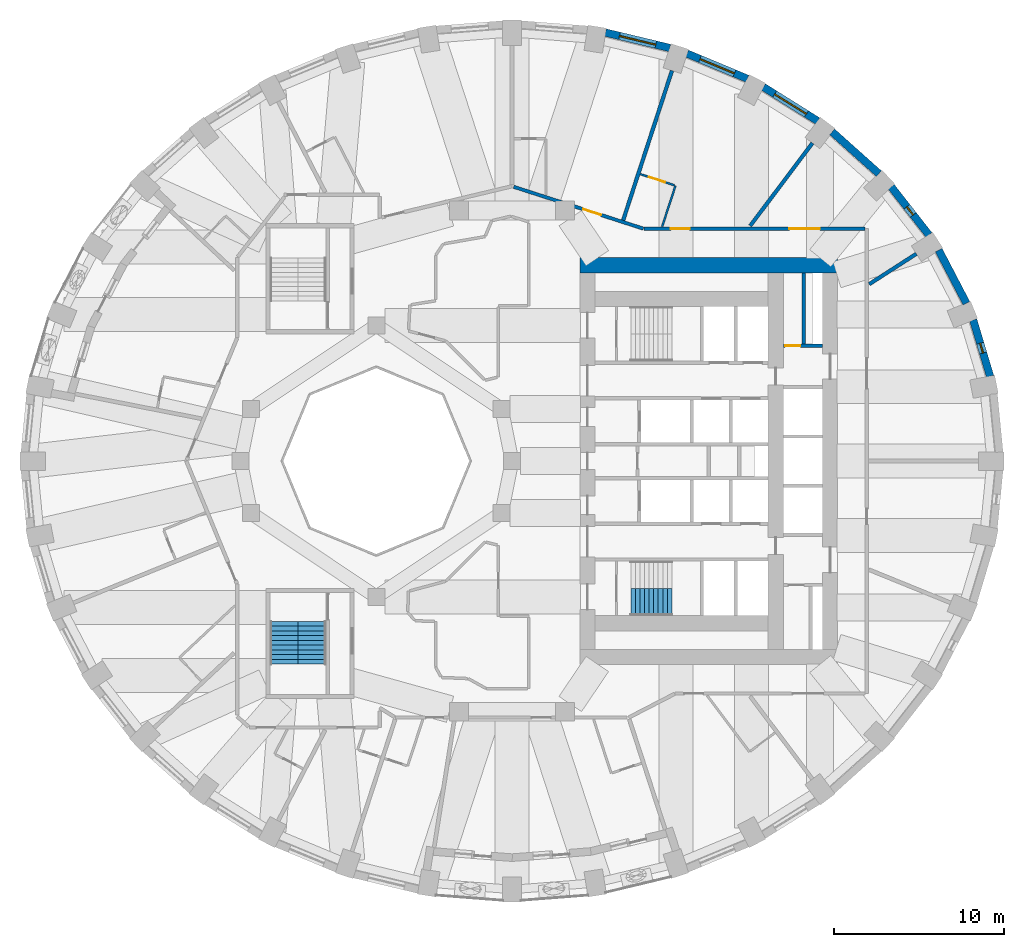
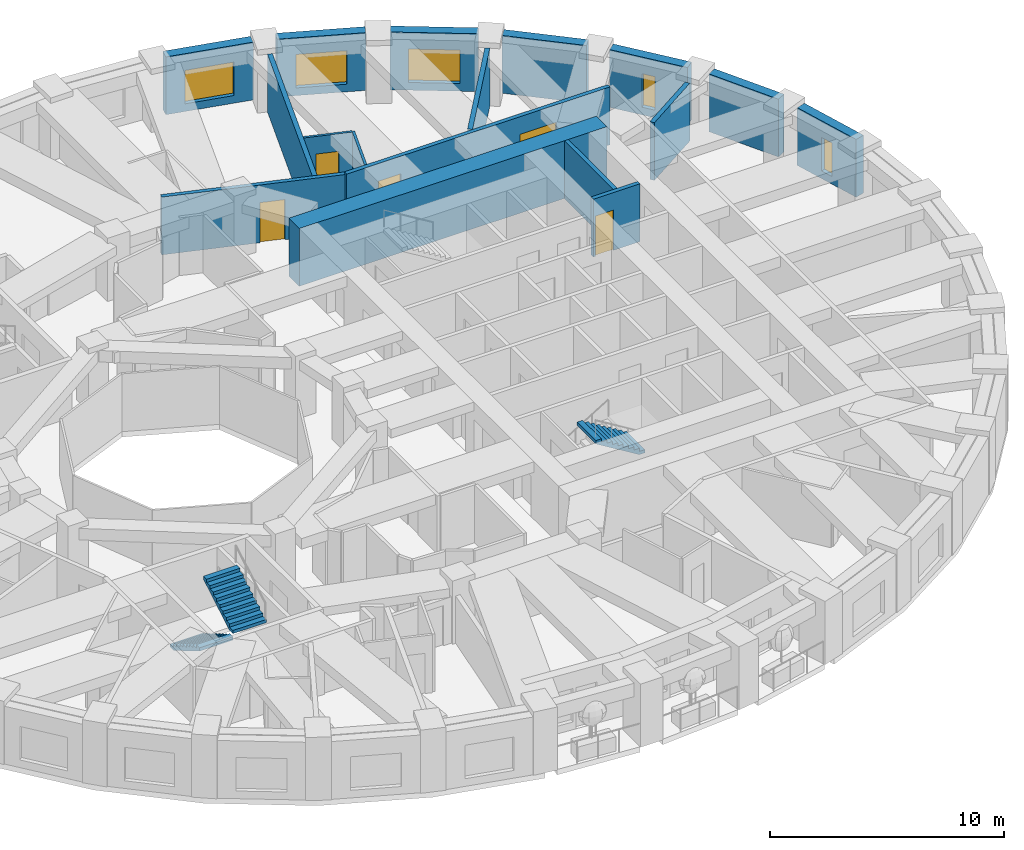
# One storey, part 9 of 13: 17 walls, 5 doors, 5 windows, 3 stair flights, 10 openings, 2 elements without a shape of their own.
"""IFC4 building model written with IfcOpenShell, lengths in metres."""

from ifc_helpers import new_model, si_unit, direction, frame, frame_2d, origin, place, context, subcontext, project, spatial, polyline, rectangle, outline, extrude, material, layer, layer_set, type_object, element, fill, aggregate, save


model = new_model("IFC4")

# Units and contexts
model_context = context("Model", 3, precision=1e-05, world=origin(), true_north=direction((0.0, 1.0)))
body_context = subcontext(model_context, "Body", "Model", "MODEL_VIEW")
ifc_project = project(units=[si_unit("LENGTHUNIT", "METRE"), si_unit("AREAUNIT", "SQUARE_METRE"), si_unit("VOLUMEUNIT", "CUBIC_METRE"), si_unit("PLANEANGLEUNIT", "RADIAN"), si_unit("MASSUNIT", "GRAM", prefix="KILO")], contexts=[model_context])

# Site, building, storey
site_placement = place(None, origin())
site = spatial("IfcSite", under=ifc_project, at=site_placement, CompositionType="ELEMENT")
building_placement = place(site_placement, origin())
building = spatial("IfcBuilding", under=site, at=building_placement, Name="Taillehof Tower", CompositionType="ELEMENT")
storey_placement = place(building_placement, frame((0.0, 0.0, 77.800048828125)))
storey = spatial("IfcBuildingStorey", under=building, at=storey_placement, Name="L21", CompositionType="ELEMENT", Elevation=77.800048828125)

# Wall, opening, window
ifc_material_1 = material(Name="Brick masonry", Category="masonry")
ifc_layer_1 = layer(ifc_material_1, 0.449951171875)
ifc_layer_set_1 = layer_set([ifc_layer_1], Name="Brick infill wall 450")
wall_type_1 = type_object("IfcWallType", Name="Brick infill wall 450", PredefinedType="SOLIDWALL", material=ifc_layer_set_1)
wall_1_placement = place(storey_placement, frame((28.181884765625, 4.995849609375, 0.0), z_axis=(0.0, 0.0, 1.0), x_axis=(-0.287064133733, 0.957911364963, 0.0)))
wall_1 = element("IfcWall", 1, at=wall_1_placement, inside=storey, type_object=wall_type_1, Name="Brick wall L21 bay 2", PredefinedType="SOLIDWALL", context=body_context, shape_type="SweptSolid", body=[
    extrude(rectangle(XDim=3.473388671875, YDim=0.449951171875, at=frame_2d((1.73681640625, 0.0))), origin(), (0.0, 0.0, 1.0), 3.02001953125),
])
opening_1_placement = place(wall_1_placement, frame((1.436767578125, 0.0, 0.39990234375)))
opening_1 = element("IfcOpeningElement", 2, at=opening_1_placement, cuts=wall_1, Name="Opening W6", PredefinedType="OPENING", context=body_context, shape_type="SweptSolid", body=[
    extrude(rectangle(XDim=0.60009765625, YDim=1.75, at=frame_2d((0.300048828125, 0.875))), frame((0.0, 0.23486328125, 0.0), z_axis=(0.0, -1.0, 0.0), x_axis=(1.0, 0.0, 0.0)), (0.0, 0.0, 1.0), 0.469970703125),
])
ifc_material_2 = material(Name="Aluminium window frame with clear double glazing", Category="aluminium")
window_type_1 = type_object("IfcWindowType", Name="Slot window 600x1750", PartitioningType="SINGLE_PANEL", PredefinedType="WINDOW", material=ifc_material_2)
window_1_placement = place(opening_1_placement, origin())
window_1 = element("IfcWindow", 3, at=window_1_placement, inside=storey, type_object=window_type_1, Name="W6", OverallHeight=1.75, OverallWidth=0.60009765625, PartitioningType="SINGLE_PANEL", PredefinedType="WINDOW", context=body_context, shape_type="SweptSolid", body=[
    extrude(rectangle(XDim=0.60009765625, YDim=1.75, at=frame_2d((0.300048828125, 0.875))), frame((0.0, 0.034912109375, 0.0), z_axis=(0.0, -1.0, 0.0), x_axis=(1.0, 0.0, 0.0)), (0.0, 0.0, 1.0), 0.06005859375),
])
fill(opening_1, window_1)

# Wall
wall_2_placement = place(storey_placement, frame((26.78564453125, 9.30517578125, 0.0), z_axis=(0.0, 0.0, 1.0), x_axis=(-0.462492775226, 0.886623050041, 0.0)))
element("IfcWall", 4, at=wall_2_placement, inside=storey, type_object=wall_type_1, Name="Brick wall L21 bay 3", PredefinedType="SOLIDWALL", context=body_context, shape_type="SweptSolid", body=[
    extrude(rectangle(XDim=3.531982421875, YDim=0.449951171875, at=frame_2d((1.76611328125, 0.0))), origin(), (0.0, 0.0, 1.0), 3.02001953125),
])

# Wall, opening, window
wall_3_placement = place(storey_placement, frame((24.57763671875, 13.327880859375, 0.0), z_axis=(0.0, 0.0, 1.0), x_axis=(-0.616661975264, 0.787228053529, 0.0)))
wall_3 = element("IfcWall", 5, at=wall_3_placement, inside=storey, type_object=wall_type_1, Name="Brick wall L21 bay 4", PredefinedType="SOLIDWALL", context=body_context, shape_type="SweptSolid", body=[
    extrude(rectangle(XDim=3.60986328125, YDim=0.449951171875, at=frame_2d((1.804931640625, 0.0))), origin(), (0.0, 0.0, 1.0), 3.02001953125),
])
opening_2_placement = place(wall_3_placement, frame((1.5048828125, 0.0, 0.39990234375)))
opening_2 = element("IfcOpeningElement", 6, at=opening_2_placement, cuts=wall_3, Name="Opening W6", PredefinedType="OPENING", context=body_context, shape_type="SweptSolid", body=[
    extrude(rectangle(XDim=0.60009765625, YDim=1.75, at=frame_2d((0.300048828125, 0.875))), frame((0.0, 0.23486328125, 0.0), z_axis=(0.0, -1.0, 0.0), x_axis=(1.0, 0.0, 0.0)), (0.0, 0.0, 1.0), 0.469970703125),
])
window_2_placement = place(opening_2_placement, origin())
window_2 = element("IfcWindow", 7, at=window_2_placement, inside=storey, type_object=window_type_1, Name="W6", OverallHeight=1.75, OverallWidth=0.60009765625, PartitioningType="SINGLE_PANEL", PredefinedType="WINDOW", context=body_context, shape_type="SweptSolid", body=[
    extrude(rectangle(XDim=0.60009765625, YDim=1.75, at=frame_2d((0.300048828125, 0.875))), frame((0.0, 0.034912109375, 0.0), z_axis=(0.0, -1.0, 0.0), x_axis=(1.0, 0.0, 0.0)), (0.0, 0.0, 1.0), 0.06005859375),
])
fill(opening_2, window_2)

# Wall
wall_4_placement = place(storey_placement, frame((21.626708984375, 16.943115234375, 0.0), z_axis=(0.0, 0.0, 1.0), x_axis=(-0.745526233716, 0.66647628228, 0.0)))
element("IfcWall", 8, at=wall_4_placement, inside=storey, type_object=wall_type_1, Name="Brick wall L21 bay 5", PredefinedType="SOLIDWALL", context=body_context, shape_type="SweptSolid", body=[
    extrude(rectangle(XDim=3.69677734375, YDim=0.449951171875, at=frame_2d((1.848388671875, 0.0))), origin(), (0.0, 0.0, 1.0), 3.02001953125),
])

# Wall, opening, window
wall_5_placement = place(storey_placement, frame((18.02294921875, 20.043701171875, 0.0), z_axis=(0.0, 0.0, 1.0), x_axis=(-0.847635480093, 0.530579016629, 0.0)))
wall_5 = element("IfcWall", 9, at=wall_5_placement, inside=storey, type_object=wall_type_1, Name="Brick wall L21 bay 6", PredefinedType="SOLIDWALL", context=body_context, shape_type="SweptSolid", body=[
    extrude(rectangle(XDim=3.782470703125, YDim=0.449951171875, at=frame_2d((1.89111328125, 0.0))), origin(), (0.0, 0.0, 1.0), 3.02001953125),
])
opening_3_placement = place(wall_5_placement, frame((0.791259765625, 0.0, 0.39990234375)))
opening_3 = element("IfcOpeningElement", 10, at=opening_3_placement, cuts=wall_5, Name="Opening W1", PredefinedType="OPENING", context=body_context, shape_type="SweptSolid", body=[
    extrude(rectangle(XDim=2.199951171875, YDim=1.75, at=frame_2d((1.10009765625, 0.875))), frame((0.0, 0.23486328125, 0.0), z_axis=(0.0, -1.0, 0.0), x_axis=(1.0, 0.0, 0.0)), (0.0, 0.0, 1.0), 0.469970703125),
])
ifc_material_3 = material(Name="Aluminium window frame with clear double glazing", Category="aluminium")
window_type_2 = type_object("IfcWindowType", Name="Deep-set window 2200x1750", PartitioningType="SINGLE_PANEL", PredefinedType="WINDOW", material=ifc_material_3)
window_3_placement = place(opening_3_placement, origin())
window_3 = element("IfcWindow", 11, at=window_3_placement, inside=storey, type_object=window_type_2, Name="W1", OverallHeight=1.75, OverallWidth=2.199951171875, PartitioningType="SINGLE_PANEL", PredefinedType="WINDOW", context=body_context, shape_type="SweptSolid", body=[
    extrude(rectangle(XDim=2.199951171875, YDim=1.75, at=frame_2d((1.10009765625, 0.875))), frame((0.0, 0.034912109375, 0.0), z_axis=(0.0, -1.0, 0.0), x_axis=(1.0, 0.0, 0.0)), (0.0, 0.0, 1.0), 0.06005859375),
])
fill(opening_3, window_3)

wall_6_placement = place(storey_placement, frame((13.875, 22.537353515625, 0.0), z_axis=(0.0, 0.0, 1.0), x_axis=(-0.923031964282, 0.384723267966, 0.0)))
wall_6 = element("IfcWall", 12, at=wall_6_placement, inside=storey, type_object=wall_type_1, Name="Brick wall L21 bay 7", PredefinedType="SOLIDWALL", context=body_context, shape_type="SweptSolid", body=[
    extrude(rectangle(XDim=3.8564453125, YDim=0.449951171875, at=frame_2d((1.92822265625, 0.0))), origin(), (0.0, 0.0, 1.0), 3.02001953125),
])
opening_4_placement = place(wall_6_placement, frame((0.828125, 0.0, 0.39990234375)))
opening_4 = element("IfcOpeningElement", 13, at=opening_4_placement, cuts=wall_6, Name="Opening W1", PredefinedType="OPENING", context=body_context, shape_type="SweptSolid", body=[
    extrude(rectangle(XDim=2.199951171875, YDim=1.75, at=frame_2d((1.10009765625, 0.875))), frame((0.0, 0.23486328125, 0.0), z_axis=(0.0, -1.0, 0.0), x_axis=(1.0, 0.0, 0.0)), (0.0, 0.0, 1.0), 0.469970703125),
])
window_4_placement = place(opening_4_placement, origin())
window_4 = element("IfcWindow", 14, at=window_4_placement, inside=storey, type_object=window_type_2, Name="W1", OverallHeight=1.75, OverallWidth=2.199951171875, PartitioningType="SINGLE_PANEL", PredefinedType="WINDOW", context=body_context, shape_type="SweptSolid", body=[
    extrude(rectangle(XDim=2.199951171875, YDim=1.75, at=frame_2d((1.10009765625, 0.875))), frame((0.0, 0.034912109375, 0.0), z_axis=(0.0, -1.0, 0.0), x_axis=(1.0, 0.0, 0.0)), (0.0, 0.0, 1.0), 0.06005859375),
])
fill(opening_4, window_4)

wall_7_placement = place(storey_placement, frame((9.3076171875, 24.349609375, 0.0), z_axis=(0.0, 0.0, 1.0), x_axis=(-0.972496561493, 0.232917233979, 0.0)))
wall_7 = element("IfcWall", 15, at=wall_7_placement, inside=storey, type_object=wall_type_1, Name="Brick wall L21 bay 8", PredefinedType="SOLIDWALL", context=body_context, shape_type="SweptSolid", body=[
    extrude(rectangle(XDim=3.910888671875, YDim=0.449951171875, at=frame_2d((1.95556640625, 0.0))), origin(), (0.0, 0.0, 1.0), 3.02001953125),
])
opening_5_placement = place(wall_7_placement, frame((0.855224609375, 0.0, 0.39990234375)))
opening_5 = element("IfcOpeningElement", 16, at=opening_5_placement, cuts=wall_7, Name="Opening W1", PredefinedType="OPENING", context=body_context, shape_type="SweptSolid", body=[
    extrude(rectangle(XDim=2.199951171875, YDim=1.75, at=frame_2d((1.10009765625, 0.875))), frame((0.0, 0.23486328125, 0.0), z_axis=(0.0, -1.0, 0.0), x_axis=(1.0, 0.0, 0.0)), (0.0, 0.0, 1.0), 0.469970703125),
])
window_5_placement = place(opening_5_placement, origin())
window_5 = element("IfcWindow", 17, at=window_5_placement, inside=storey, type_object=window_type_2, Name="W1", OverallHeight=1.75, OverallWidth=2.199951171875, PartitioningType="SINGLE_PANEL", PredefinedType="WINDOW", context=body_context, shape_type="SweptSolid", body=[
    extrude(rectangle(XDim=2.199951171875, YDim=1.75, at=frame_2d((1.10009765625, 0.875))), frame((0.0, 0.034912109375, 0.0), z_axis=(0.0, -1.0, 0.0), x_axis=(1.0, 0.0, 0.0)), (0.0, 0.0, 1.0), 0.06005859375),
])
fill(opening_5, window_5)

# Wall, opening, door
ifc_material_4 = material(Name="Calcium silicate masonry", Category="masonry")
ifc_layer_2 = layer(ifc_material_4, 0.199951171875)
ifc_layer_set_2 = layer_set([ifc_layer_2], Name="Compartment wall calcium silicate 200")
wall_type_2 = type_object("IfcWallType", Name="Compartment wall calcium silicate 200", PredefinedType="PARTITIONING", material=ifc_layer_set_2)
wall_8_placement = place(storey_placement, frame((16.0, 6.800048828125, 0.0), z_axis=(0.0, 0.0, 1.0), x_axis=(1.0, 0.0, 0.0)))
wall_8 = element("IfcWall", 18, at=wall_8_placement, inside=storey, type_object=wall_type_2, Name="Compartment wall FW", PredefinedType="PARTITIONING", context=body_context, shape_type="SweptSolid", body=[
    extrude(rectangle(XDim=2.300048828125, YDim=0.199951171875, at=frame_2d((1.14990234375, 0.0))), origin(), (0.0, 0.0, 1.0), 3.02001953125),
])
opening_6_placement = place(wall_8_placement, frame((0.10009765625, 0.0, 0.0)))
opening_6 = element("IfcOpeningElement", 19, at=opening_6_placement, cuts=wall_8, Name="Opening D2116", PredefinedType="OPENING", context=body_context, shape_type="SweptSolid", body=[
    extrude(rectangle(XDim=0.89990234375, YDim=2.10009765625, at=frame_2d((0.449951171875, 1.050048828125))), frame((0.0, 0.10986328125, 0.0), z_axis=(0.0, -1.0, 0.0), x_axis=(1.0, 0.0, 0.0)), (0.0, 0.0, 1.0), 0.219970703125),
])
ifc_material_5 = material(Name="Steel-faced fire door", Category="steel")
door_type_1 = type_object("IfcDoorType", Name="Riser and service room door 900x2100", OperationType="SINGLE_SWING_LEFT", PredefinedType="DOOR", material=ifc_material_5)
door_1_placement = place(opening_6_placement, origin())
door_1 = element("IfcDoor", 20, at=door_1_placement, inside=storey, type_object=door_type_1, Name="Door Bms Room", OperationType="SINGLE_SWING_RIGHT", OverallHeight=2.10009765625, OverallWidth=0.89990234375, PredefinedType="DOOR", context=body_context, shape_type="SweptSolid", body=[
    extrude(rectangle(XDim=0.89990234375, YDim=2.10009765625, at=frame_2d((0.449951171875, 1.050048828125))), frame((0.0, 0.02490234375, 0.0), z_axis=(0.0, -1.0, 0.0), x_axis=(1.0, 0.0, 0.0)), (0.0, 0.0, 1.0), 0.050048828125),
])
fill(opening_6, door_1)

# Wall
wall_9_placement = place(storey_placement, frame((17.199951171875, 6.89990234375, 0.0), z_axis=(0.0, 0.0, 1.0), x_axis=(0.0, 1.0, 0.0)))
element("IfcWall", 21, at=wall_9_placement, inside=storey, type_object=wall_type_2, Name="Compartment wall FW", PredefinedType="PARTITIONING", context=body_context, shape_type="SweptSolid", body=[
    extrude(rectangle(XDim=4.2001953125, YDim=0.199951171875, at=frame_2d((2.10009765625, 0.0))), origin(), (0.0, 0.0, 1.0), 3.02001953125),
])

# Wall, opening, door
ifc_material_6 = material(Name="Gypsum board on steel studs, two layers each side", Category="steel")
ifc_layer_3 = layer(ifc_material_6, 0.199951171875)
ifc_layer_set_3 = layer_set([ifc_layer_3], Name="Compartment wall corridor 200")
wall_type_3 = type_object("IfcWallType", Name="Compartment wall corridor 200", PredefinedType="PARTITIONING", material=ifc_layer_set_3)
wall_10_placement = place(storey_placement, frame((0.09521484375, 16.16943359375, 0.0), z_axis=(0.0, 0.0, 1.0), x_axis=(0.951667112614, -0.307131416122, 0.0)))
wall_10 = element("IfcWall", 22, at=wall_10_placement, inside=storey, type_object=wall_type_3, Name="Compartment wall", PredefinedType="PARTITIONING", context=body_context, shape_type="SweptSolid", body=[
    extrude(rectangle(XDim=8.04052734375, YDim=0.199951171875, at=frame_2d((4.020263671875, 0.0))), origin(), (0.0, 0.0, 1.0), 3.02001953125),
])
opening_7_placement = place(wall_10_placement, frame((4.308837890625, 0.0, 0.0)))
opening_7 = element("IfcOpeningElement", 23, at=opening_7_placement, cuts=wall_10, Name="Opening D2142", PredefinedType="OPENING", context=body_context, shape_type="SweptSolid", body=[
    extrude(rectangle(XDim=1.10009765625, YDim=2.10009765625, at=frame_2d((0.550048828125, 1.050048828125))), frame((0.0, 0.10986328125, 0.0), z_axis=(0.0, -1.0, 0.0), x_axis=(1.0, 0.0, 0.0)), (0.0, 0.0, 1.0), 0.219970703125),
])
ifc_material_7 = material(Name="Timber door leaf in steel frame", Category="steel")
door_type_2 = type_object("IfcDoorType", Name="Suite entrance door EI 30 1100 x 2100", OperationType="SINGLE_SWING_LEFT", PredefinedType="DOOR", material=ifc_material_7)
door_2_placement = place(opening_7_placement, origin())
door_2 = element("IfcDoor", 24, at=door_2_placement, inside=storey, type_object=door_type_2, Name="D2142", OperationType="SINGLE_SWING_RIGHT", OverallHeight=2.10009765625, OverallWidth=1.10009765625, PredefinedType="DOOR", context=body_context, shape_type="SweptSolid", body=[
    extrude(rectangle(XDim=1.10009765625, YDim=2.10009765625, at=frame_2d((0.550048828125, 1.050048828125))), frame((0.0, 0.02490234375, 0.0), z_axis=(0.0, -1.0, 0.0), x_axis=(1.0, 0.0, 0.0)), (0.0, 0.0, 1.0), 0.050048828125),
])
fill(opening_7, door_2)

# Wall, openings, doors
wall_11_placement = place(storey_placement, frame((7.787109375, 13.699951171875, 0.0), z_axis=(0.0, 0.0, 1.0), x_axis=(1.0, 0.0, 0.0)))
wall_11 = element("IfcWall", 25, at=wall_11_placement, inside=storey, type_object=wall_type_3, Name="Compartment wall", PredefinedType="PARTITIONING", context=body_context, shape_type="SweptSolid", body=[
    extrude(rectangle(XDim=13.0126953125, YDim=0.199951171875, at=frame_2d((6.50634765625, 0.0))), origin(), (0.0, 0.0, 1.0), 3.02001953125),
])
opening_8_placement = place(wall_11_placement, frame((1.58349609375, 0.0, 0.0)))
opening_8 = element("IfcOpeningElement", 26, at=opening_8_placement, cuts=wall_11, Name="Opening D2140", PredefinedType="OPENING", context=body_context, shape_type="SweptSolid", body=[
    extrude(rectangle(XDim=1.10009765625, YDim=2.10009765625, at=frame_2d((0.550048828125, 1.050048828125))), frame((0.0, 0.10986328125, 0.0), z_axis=(0.0, -1.0, 0.0), x_axis=(1.0, 0.0, 0.0)), (0.0, 0.0, 1.0), 0.219970703125),
])
opening_9_placement = place(wall_11_placement, frame((8.562255859375, 0.0, 0.0)))
opening_9 = element("IfcOpeningElement", 27, at=opening_9_placement, cuts=wall_11, Name="Opening D2167", PredefinedType="OPENING", context=body_context, shape_type="SweptSolid", body=[
    extrude(rectangle(XDim=1.800048828125, YDim=2.10009765625, at=frame_2d((0.89990234375, 1.050048828125))), frame((0.0, 0.10986328125, 0.0), z_axis=(0.0, -1.0, 0.0), x_axis=(1.0, 0.0, 0.0)), (0.0, 0.0, 1.0), 0.219970703125),
])
ifc_material_8 = material(Name="Timber door leaf in steel frame", Category="steel")
door_type_3 = type_object("IfcDoorType", Name="Accessible guest room door EI 30 1100 x 2100", OperationType="SINGLE_SWING_LEFT", PredefinedType="DOOR", material=ifc_material_8)
door_3_placement = place(opening_8_placement, origin())
door_3 = element("IfcDoor", 28, at=door_3_placement, inside=storey, type_object=door_type_3, Name="D2140", OperationType="SINGLE_SWING_LEFT", OverallHeight=2.10009765625, OverallWidth=1.10009765625, PredefinedType="DOOR", context=body_context, shape_type="SweptSolid", body=[
    extrude(rectangle(XDim=1.10009765625, YDim=2.10009765625, at=frame_2d((0.550048828125, 1.050048828125))), frame((0.0, 0.02490234375, 0.0), z_axis=(0.0, -1.0, 0.0), x_axis=(1.0, 0.0, 0.0)), (0.0, 0.0, 1.0), 0.050048828125),
])
fill(opening_8, door_3)
ifc_material_9 = material(Name="Timber door leaf in steel frame", Category="steel")
door_type_4 = type_object("IfcDoorType", Name="Lounge and meeting room double door EI 30 1800 x 2100", OperationType="SINGLE_SWING_LEFT", PredefinedType="DOOR", material=ifc_material_9)
door_4_placement = place(opening_9_placement, origin())
door_4 = element("IfcDoor", 29, at=door_4_placement, inside=storey, type_object=door_type_4, Name="D2167", OperationType="DOUBLE_DOOR_SINGLE_SWING", OverallHeight=2.10009765625, OverallWidth=1.800048828125, PredefinedType="DOOR", context=body_context, shape_type="SweptSolid", body=[
    extrude(rectangle(XDim=1.800048828125, YDim=2.10009765625, at=frame_2d((0.89990234375, 1.050048828125))), frame((0.0, 0.02490234375, 0.0), z_axis=(0.0, -1.0, 0.0), x_axis=(1.0, 0.0, 0.0)), (0.0, 0.0, 1.0), 0.050048828125),
])
fill(opening_9, door_4)

# Walls
ifc_material_10 = material(Name="Gypsum board on double steel studs with mineral wool", Category="steel")
ifc_layer_4 = layer(ifc_material_10, 0.219970703125)
ifc_layer_set_4 = layer_set([ifc_layer_4], Name="Compartment wall guest room 220")
wall_type_4 = type_object("IfcWallType", Name="Compartment wall guest room 220", PredefinedType="PARTITIONING", material=ifc_layer_set_4)
wall_12_placement = place(storey_placement, frame((23.834716796875, 12.218994140625, 0.0), z_axis=(0.0, 0.0, 1.0), x_axis=(-0.840713483419, -0.541480229368, 0.0)))
element("IfcWall", 30, at=wall_12_placement, inside=storey, type_object=wall_type_4, Name="Compartment wall", PredefinedType="PARTITIONING", context=body_context, shape_type="SweptSolid", body=[
    extrude(rectangle(XDim=3.311767578125, YDim=0.219970703125, at=frame_2d((1.65576171875, 0.0))), origin(), (0.0, 0.0, 1.0), 3.02001953125),
])
wall_13_placement = place(storey_placement, frame((17.707763671875, 18.7431640625, 0.0), z_axis=(0.0, 0.0, 1.0), x_axis=(-0.601170031872, -0.799121137738, 0.0)))
element("IfcWall", 31, at=wall_13_placement, inside=storey, type_object=wall_type_4, Name="Compartment wall", PredefinedType="PARTITIONING", context=body_context, shape_type="SweptSolid", body=[
    extrude(rectangle(XDim=6.106201171875, YDim=0.219970703125, at=frame_2d((3.05322265625, 0.0))), origin(), (0.0, 0.0, 1.0), 3.02001953125),
])
wall_14_placement = place(storey_placement, frame((9.429443359375, 23.01416015625, 0.0), z_axis=(0.0, 0.0, 1.0), x_axis=(-0.310223734739, -0.950663575827, 0.0)))
element("IfcWall", 32, at=wall_14_placement, inside=storey, type_object=wall_type_4, Name="Compartment wall", PredefinedType="PARTITIONING", context=body_context, shape_type="SweptSolid", body=[
    extrude(rectangle(XDim=9.28076171875, YDim=0.219970703125, at=frame_2d((4.640380859375, 0.0))), origin(), (0.0, 0.0, 1.0), 3.02001953125),
])
ifc_material_11 = material(Name="Concrete C80/95", Category="concrete")
ifc_layer_5 = layer(ifc_material_11, 0.89990234375)
ifc_layer_set_5 = layer_set([ifc_layer_5], Name="Core wall C80/95 900")
wall_type_5 = type_object("IfcWallType", Name="Core wall C80/95 900", PredefinedType="SHEAR", material=ifc_layer_set_5)
wall_15_placement = place(storey_placement, frame((4.0, 11.550048828125, 0.0), z_axis=(0.0, 0.0, 1.0), x_axis=(1.0, 0.0, 0.0)))
element("IfcWall", 33, at=wall_15_placement, inside=storey, type_object=wall_type_5, Name="Core wall CW03", PredefinedType="SHEAR", context=body_context, shape_type="SweptSolid", body=[
    extrude(rectangle(XDim=15.199951171875, YDim=0.89990234375, at=frame_2d((7.60009765625, 0.0))), origin(), (0.0, 0.0, 1.0), 3.02001953125),
])
ifc_material_12 = material(Name="Gypsum board on steel studs, moisture resistant", Category="steel")
ifc_layer_6 = layer(ifc_material_12, 0.1201171875)
ifc_layer_set_6 = layer_set([ifc_layer_6], Name="En-suite wall 120")
wall_type_6 = type_object("IfcWallType", Name="En-suite wall 120", PredefinedType="PARTITIONING", material=ifc_layer_set_6)
wall_16_placement = place(storey_placement, frame((8.84814453125, 13.819091796875, 0.0), z_axis=(0.0, 0.0, 1.0), x_axis=(0.310254704997, 0.95065346895, 0.0)))
element("IfcWall", 34, at=wall_16_placement, inside=storey, type_object=wall_type_6, Name="En-suite wall", PredefinedType="PARTITIONING", context=body_context, shape_type="SweptSolid", body=[
    extrude(rectangle(XDim=2.541015625, YDim=0.1201171875, at=frame_2d((1.2705078125, 0.0))), origin(), (0.0, 0.0, 1.0), 3.02001953125),
])

# Wall, opening, door
wall_17_placement = place(storey_placement, frame((9.579345703125, 16.2529296875, 0.0), z_axis=(0.0, 0.0, 1.0), x_axis=(-0.950613738429, 0.310376417129, 0.0)))
wall_17 = element("IfcWall", 35, at=wall_17_placement, inside=storey, type_object=wall_type_6, Name="En-suite wall", PredefinedType="PARTITIONING", context=body_context, shape_type="SweptSolid", body=[
    extrude(rectangle(XDim=2.130126953125, YDim=0.1201171875, at=frame_2d((1.06494140625, 0.0))), origin(), (0.0, 0.0, 1.0), 3.02001953125),
])
opening_10_placement = place(wall_17_placement, frame((0.590087890625, 0.0, 0.0)))
opening_10 = element("IfcOpeningElement", 36, at=opening_10_placement, cuts=wall_17, Name="Opening D2141", PredefinedType="OPENING", context=body_context, shape_type="SweptSolid", body=[
    extrude(rectangle(XDim=1.0, YDim=2.10009765625, at=frame_2d((0.5, 1.050048828125))), frame((0.0, 0.070068359375, 0.0), z_axis=(0.0, -1.0, 0.0), x_axis=(1.0, 0.0, 0.0)), (0.0, 0.0, 1.0), 0.14013671875),
])
ifc_material_13 = material(Name="Timber door leaf in steel frame", Category="steel")
door_type_5 = type_object("IfcDoorType", Name="Accessible en-suite door 1000 x 2100", OperationType="SINGLE_SWING_LEFT", PredefinedType="DOOR", material=ifc_material_13)
door_5_placement = place(opening_10_placement, origin())
door_5 = element("IfcDoor", 37, at=door_5_placement, inside=storey, type_object=door_type_5, Name="D2141", OperationType="SINGLE_SWING_LEFT", OverallHeight=2.10009765625, OverallWidth=1.0, PredefinedType="DOOR", context=body_context, shape_type="SweptSolid", body=[
    extrude(rectangle(XDim=1.0, YDim=2.10009765625, at=frame_2d((0.5, 1.050048828125))), frame((0.0, 0.02490234375, 0.0), z_axis=(0.0, -1.0, 0.0), x_axis=(1.0, 0.0, 0.0)), (0.0, 0.0, 1.0), 0.050048828125),
])
fill(opening_10, door_5)

# Stair, stair flight
ifc_material_14 = material(Name="Concrete C40/50", Category="concrete")
stair_type = type_object("IfcStairType", Name="Exit stair half-turn", PredefinedType="HALF_TURN_STAIR", material=ifc_material_14)
stair_1_placement = place(storey_placement, origin())
stair_1 = element("IfcStair", 38, at=stair_1_placement, inside=storey, type_object=stair_type, Name="Exit stair S2", PredefinedType="HALF_TURN_STAIR")
ifc_material_15 = material(Name="Concrete C40/50", Category="concrete")
stair_flight_type_1 = type_object("IfcStairFlightType", Name="Stair flight 1600 riser 165.0 going 270", PredefinedType="STRAIGHT", material=ifc_material_15)
stair_flight_1_placement = place(storey_placement, frame((9.429931640625, -8.300048828125, 1.64990234375), z_axis=(0.0, 0.0, 1.0), x_axis=(-1.0, 0.0, 0.0)))
stair_flight_1 = element("IfcStairFlight", 39, at=stair_flight_1_placement, type_object=stair_flight_type_1, Name="S2 flight 2", NumberOfRisers=10, NumberOfTreads=9, PredefinedType="STRAIGHT", RiserHeight=0.165, TreadLength=0.27, context=body_context, shape_type="SweptSolid", body=[
    extrude(outline(polyline([(0.0, 0.0), (0.0, 0.00537109375), (0.0, 0.0107421875), (0.0, 0.015869140625), (0.0, 0.021240234375), (0.0, 0.026611328125), (0.0, 0.031982421875), (0.0, 0.037353515625), (0.0, 0.04248046875), (0.0, 0.0478515625), (0.0, 0.05322265625), (0.0, 0.05859375), (0.0, 0.06396484375), (0.0, 0.069091796875), (0.0, 0.074462890625), (0.0, 0.079833984375), (0.0, 0.085205078125), (0.0, 0.090576171875), (0.0, 0.095703125), (0.0, 0.10107421875), (0.0, 0.1064453125), (0.0, 0.11181640625), (0.0, 0.1171875), (0.0, 0.122314453125), (0.0, 0.127685546875), (0.0, 0.133056640625), (0.0, 0.138427734375), (0.0, 0.143798828125), (0.0, 0.14892578125), (0.0, 0.154296875), (0.0, 0.15966796875), (0.0, 0.1650390625), (0.27001953125, 0.1650390625), (0.27001953125, 0.330078125), (0.5400390625, 0.330078125), (0.5400390625, 0.4951171875), (0.81005859375, 0.4951171875), (0.81005859375, 0.659912109375), (1.080078125, 0.659912109375), (1.080078125, 0.824951171875), (1.35009765625, 0.824951171875), (1.35009765625, 0.989990234375), (1.6201171875, 0.989990234375), (1.6201171875, 1.155029296875), (1.889892578125, 1.155029296875), (1.889892578125, 1.320068359375), (2.159912109375, 1.320068359375), (2.159912109375, 1.485107421875), (2.429931640625, 1.485107421875), (2.429931640625, 1.479248046875), (2.429931640625, 1.4736328125), (2.429931640625, 1.468017578125), (2.429931640625, 1.46240234375), (2.429931640625, 1.45654296875), (2.429931640625, 1.450927734375), (2.429931640625, 1.4453125), (2.429931640625, 1.439697265625), (2.429931640625, 1.43408203125), (2.429931640625, 1.42822265625), (2.429931640625, 1.422607421875), (2.429931640625, 1.4169921875), (2.429931640625, 1.411376953125), (2.429931640625, 1.40576171875), (2.429931640625, 1.39990234375), (2.429931640625, 1.394287109375), (2.429931640625, 1.388671875), (2.429931640625, 1.383056640625), (2.429931640625, 1.37744140625), (2.429931640625, 1.37158203125), (2.429931640625, 1.365966796875), (2.429931640625, 1.3603515625), (2.429931640625, 1.354736328125), (2.429931640625, 1.348876953125), (2.429931640625, 1.34326171875), (2.429931640625, 1.337646484375), (2.429931640625, 1.33203125), (2.429931640625, 1.326416015625), (2.429931640625, 1.320556640625), (2.429931640625, 1.31494140625), (2.429931640625, 1.309326171875), (0.287353515625, 0.0), (0.0, 0.0)])), frame((0.0, 0.800048828125, 0.0), z_axis=(0.0, -1.0, 0.0), x_axis=(1.0, 0.0, 0.0)), (0.0, 0.0, 1.0), 1.6),
])
aggregate(stair_1, [stair_flight_1])

# Stair, stair flights
stair_2_placement = place(storey_placement, origin())
stair_2 = element("IfcStair", 40, at=stair_2_placement, inside=storey, type_object=stair_type, Name="Exit stair S4", PredefinedType="HALF_TURN_STAIR")
ifc_material_16 = material(Name="Concrete C40/50", Category="concrete")
stair_flight_type_2 = type_object("IfcStairFlightType", Name="Stair flight 1650 riser 165.0 going 280", PredefinedType="STRAIGHT", material=ifc_material_16)
stair_flight_2_placement = place(storey_placement, frame((-13.425048828125, -9.449951171875, 0.0), z_axis=(0.0, 0.0, 1.0), x_axis=(0.0, -1.0, 0.0)))
stair_flight_2 = element("IfcStairFlight", 41, at=stair_flight_2_placement, type_object=stair_flight_type_2, Name="S4 flight 1", NumberOfRisers=10, NumberOfTreads=9, PredefinedType="STRAIGHT", RiserHeight=0.165, TreadLength=0.28, context=body_context, shape_type="SweptSolid", body=[
    extrude(outline(polyline([(0.0, 0.0), (0.0, 0.00537109375), (0.0, 0.0107421875), (0.0, 0.015869140625), (0.0, 0.021240234375), (0.0, 0.026611328125), (0.0, 0.031982421875), (0.0, 0.037353515625), (0.0, 0.04248046875), (0.0, 0.0478515625), (0.0, 0.05322265625), (0.0, 0.05859375), (0.0, 0.06396484375), (0.0, 0.069091796875), (0.0, 0.074462890625), (0.0, 0.079833984375), (0.0, 0.085205078125), (0.0, 0.090576171875), (0.0, 0.095703125), (0.0, 0.10107421875), (0.0, 0.1064453125), (0.0, 0.11181640625), (0.0, 0.1171875), (0.0, 0.122314453125), (0.0, 0.127685546875), (0.0, 0.133056640625), (0.0, 0.138427734375), (0.0, 0.143798828125), (0.0, 0.14892578125), (0.0, 0.154296875), (0.0, 0.15966796875), (0.0, 0.1650390625), (0.280029296875, 0.1650390625), (0.280029296875, 0.330078125), (0.56005859375, 0.330078125), (0.56005859375, 0.4951171875), (0.840087890625, 0.4951171875), (0.840087890625, 0.659912109375), (1.1201171875, 0.659912109375), (1.1201171875, 0.824951171875), (1.39990234375, 0.824951171875), (1.39990234375, 0.989990234375), (1.679931640625, 0.989990234375), (1.679931640625, 1.155029296875), (1.9599609375, 1.155029296875), (1.9599609375, 1.320068359375), (2.239990234375, 1.320068359375), (2.239990234375, 1.485107421875), (2.52001953125, 1.485107421875), (2.52001953125, 1.4794921875), (2.52001953125, 1.473876953125), (2.52001953125, 1.46826171875), (2.52001953125, 1.462646484375), (2.52001953125, 1.45703125), (2.52001953125, 1.451416015625), (2.52001953125, 1.44580078125), (2.52001953125, 1.440185546875), (2.52001953125, 1.4345703125), (2.52001953125, 1.428955078125), (2.52001953125, 1.42333984375), (2.52001953125, 1.417724609375), (2.52001953125, 1.412109375), (2.52001953125, 1.406494140625), (2.52001953125, 1.40087890625), (2.52001953125, 1.395263671875), (2.52001953125, 1.3896484375), (2.52001953125, 1.384033203125), (2.52001953125, 1.37841796875), (2.52001953125, 1.372802734375), (2.52001953125, 1.3671875), (2.52001953125, 1.361572265625), (2.52001953125, 1.35595703125), (2.52001953125, 1.350341796875), (2.52001953125, 1.3447265625), (2.52001953125, 1.339111328125), (2.52001953125, 1.33349609375), (2.52001953125, 1.327880859375), (2.52001953125, 1.322265625), (2.52001953125, 1.316650390625), (2.52001953125, 1.31103515625), (0.295166015625, 0.0), (0.0, 0.0)])), frame((0.0, 0.824951171875, 0.0), z_axis=(0.0, -1.0, 0.0), x_axis=(1.0, 0.0, 0.0)), (0.0, 0.0, 1.0), 1.65),
])
stair_flight_3_placement = place(storey_placement, frame((-11.77490234375, -11.969970703125, 1.64990234375), z_axis=(0.0, 0.0, 1.0), x_axis=(0.0, 1.0, 0.0)))
stair_flight_3 = element("IfcStairFlight", 42, at=stair_flight_3_placement, type_object=stair_flight_type_2, Name="S4 flight 2", NumberOfRisers=10, NumberOfTreads=9, PredefinedType="STRAIGHT", RiserHeight=0.165, TreadLength=0.28, context=body_context, shape_type="SweptSolid", body=[
    extrude(outline(polyline([(0.0, 0.0), (0.0, 0.00537109375), (0.0, 0.0107421875), (0.0, 0.015869140625), (0.0, 0.021240234375), (0.0, 0.026611328125), (0.0, 0.031982421875), (0.0, 0.037353515625), (0.0, 0.04248046875), (0.0, 0.0478515625), (0.0, 0.05322265625), (0.0, 0.05859375), (0.0, 0.06396484375), (0.0, 0.069091796875), (0.0, 0.074462890625), (0.0, 0.079833984375), (0.0, 0.085205078125), (0.0, 0.090576171875), (0.0, 0.095703125), (0.0, 0.10107421875), (0.0, 0.1064453125), (0.0, 0.11181640625), (0.0, 0.1171875), (0.0, 0.122314453125), (0.0, 0.127685546875), (0.0, 0.133056640625), (0.0, 0.138427734375), (0.0, 0.143798828125), (0.0, 0.14892578125), (0.0, 0.154296875), (0.0, 0.15966796875), (0.0, 0.1650390625), (0.280029296875, 0.1650390625), (0.280029296875, 0.330078125), (0.56005859375, 0.330078125), (0.56005859375, 0.4951171875), (0.840087890625, 0.4951171875), (0.840087890625, 0.659912109375), (1.1201171875, 0.659912109375), (1.1201171875, 0.824951171875), (1.39990234375, 0.824951171875), (1.39990234375, 0.989990234375), (1.679931640625, 0.989990234375), (1.679931640625, 1.155029296875), (1.9599609375, 1.155029296875), (1.9599609375, 1.320068359375), (2.239990234375, 1.320068359375), (2.239990234375, 1.485107421875), (2.52001953125, 1.485107421875), (2.52001953125, 1.4794921875), (2.52001953125, 1.473876953125), (2.52001953125, 1.46826171875), (2.52001953125, 1.462646484375), (2.52001953125, 1.45703125), (2.52001953125, 1.451416015625), (2.52001953125, 1.44580078125), (2.52001953125, 1.440185546875), (2.52001953125, 1.4345703125), (2.52001953125, 1.428955078125), (2.52001953125, 1.42333984375), (2.52001953125, 1.417724609375), (2.52001953125, 1.412109375), (2.52001953125, 1.406494140625), (2.52001953125, 1.40087890625), (2.52001953125, 1.395263671875), (2.52001953125, 1.3896484375), (2.52001953125, 1.384033203125), (2.52001953125, 1.37841796875), (2.52001953125, 1.372802734375), (2.52001953125, 1.3671875), (2.52001953125, 1.361572265625), (2.52001953125, 1.35595703125), (2.52001953125, 1.350341796875), (2.52001953125, 1.3447265625), (2.52001953125, 1.339111328125), (2.52001953125, 1.33349609375), (2.52001953125, 1.327880859375), (2.52001953125, 1.322265625), (2.52001953125, 1.316650390625), (2.52001953125, 1.31103515625), (0.295166015625, 0.0), (0.0, 0.0)])), frame((0.0, 0.824951171875, 0.0), z_axis=(0.0, -1.0, 0.0), x_axis=(1.0, 0.0, 0.0)), (0.0, 0.0, 1.0), 1.65),
])
aggregate(stair_2, [stair_flight_2, stair_flight_3])

save(model, "model.ifc")
